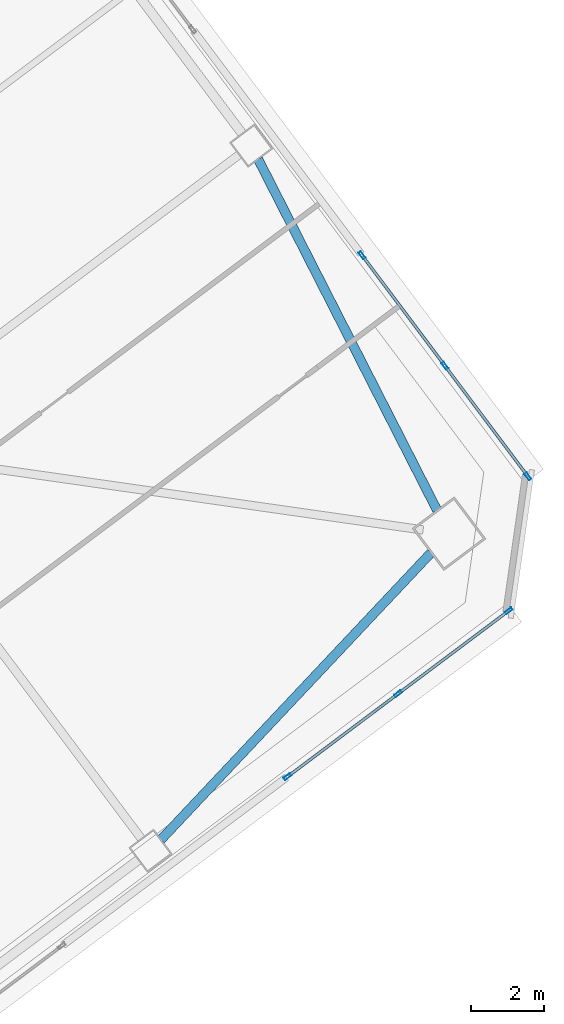
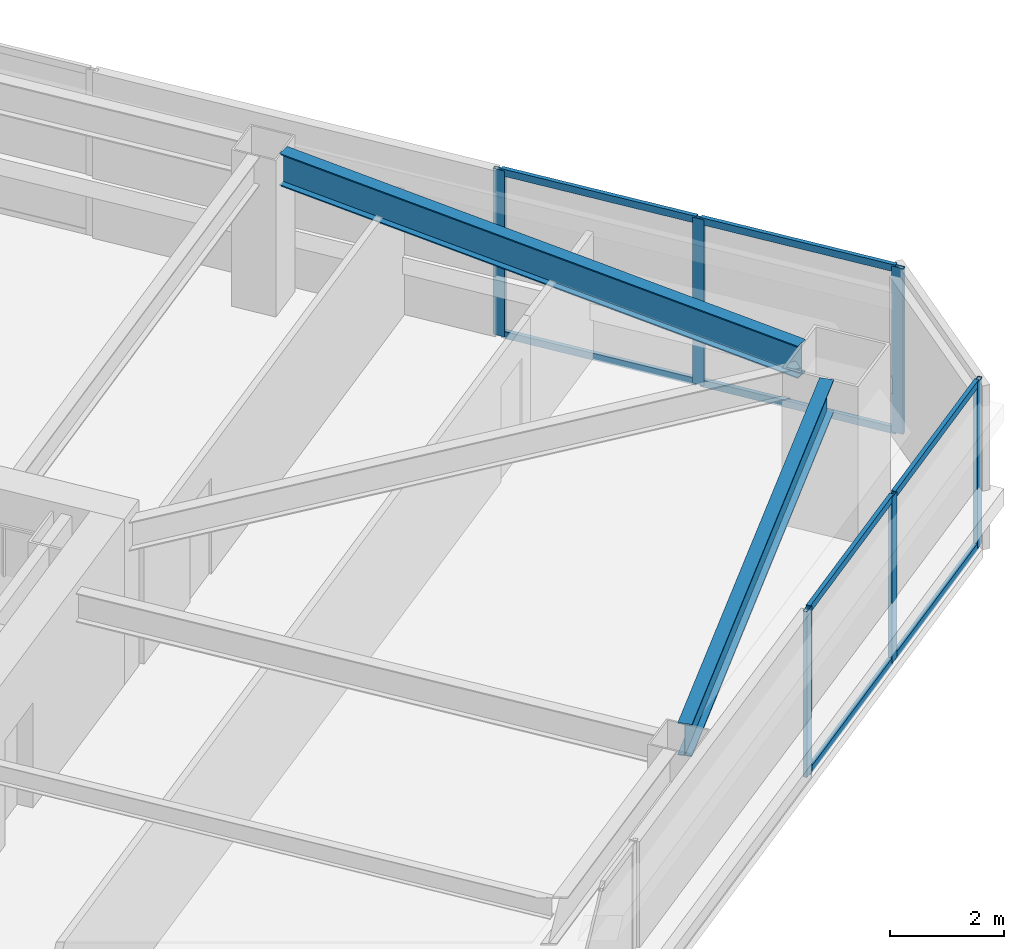
# One storey, part 25 of 44: 14 members, 2 beams, 2 elements without a shape of their own.
"""IFC4 building model written with IfcOpenShell, lengths in metres."""

from ifc_helpers import new_model, si_unit, direction, frame, origin, origin_2d, place, context, subcontext, project, spatial, hollow_rectangle, i_section, extrude, material, material_profile, profile_set, type_object, element, aggregate, save


model = new_model("IFC4")

# Units and contexts
model_context = context("Model", 3, precision=1e-05, world=origin(), true_north=direction((0.0, 1.0)))
body_context = subcontext(model_context, "Body", "Model", "MODEL_VIEW")
ifc_project = project(units=[si_unit("LENGTHUNIT", "METRE"), si_unit("AREAUNIT", "SQUARE_METRE"), si_unit("VOLUMEUNIT", "CUBIC_METRE"), si_unit("PLANEANGLEUNIT", "RADIAN"), si_unit("MASSUNIT", "GRAM", prefix="KILO")], contexts=[model_context])

# Site, building, storey
site_placement = place(None, origin())
site = spatial("IfcSite", under=ifc_project, at=site_placement, CompositionType="ELEMENT")
building_placement = place(site_placement, origin())
building = spatial("IfcBuilding", under=site, at=building_placement, Name="Tashvorn Skyway Center", CompositionType="ELEMENT")
storey_placement = place(building_placement, frame((0.0, 0.0, 92.050048828125)))
storey = spatial("IfcBuildingStorey", under=building, at=storey_placement, Name="L24", CompositionType="ELEMENT", Elevation=92.050048828125)

# Beams
ifc_material_1 = material(Name="Steel ASTM A992 Grade 50", Category="steel")
ifc_material_profile_1 = material_profile(ifc_material_1, i_section(OverallWidth=0.256103515625, OverallDepth=0.693115234375, WebThickness=0.014404296875, FlangeThickness=0.023681640625, at=origin_2d()), Name="W27X114")
ifc_profile_set_1 = profile_set([ifc_material_profile_1], Name="Steel ASTM A992 Grade 50")
beam_type = type_object("IfcBeamType", Name="BM-SPANDREL-W27X114", PredefinedType="SPANDREL", material=ifc_profile_set_1)
beam_1_placement = place(storey_placement, frame((130.157958984375, 20.145751953125, 3.00341796875), z_axis=(0.685484857238, 0.728086883893, 0.0), x_axis=(-0.728086883893, 0.685484857238, 0.0)))
element("IfcBeam", 1, at=beam_1_placement, inside=storey, type_object=beam_type, Name="Tower 2 L24 Spandrel Beam 03", PredefinedType="SPANDREL", context=body_context, shape_type="SweptSolid", body=[
    extrude(i_section(OverallWidth=0.256103515625, OverallDepth=0.693115234375, WebThickness=0.014404296875, FlangeThickness=0.023681640625, at=origin_2d()), origin(), (0.0, 0.0, 1.0), 10.8369140625),
])
beam_2_placement = place(storey_placement, frame((137.7529296875, 29.201416015625, 3.00341796875), z_axis=(-0.454210938961, 0.890894170442, 0.0), x_axis=(-0.890894170442, -0.454210938961, 0.0)))
element("IfcBeam", 2, at=beam_2_placement, inside=storey, type_object=beam_type, Name="Tower 2 L24 Spandrel Beam 04", PredefinedType="SPANDREL", context=body_context, shape_type="SweptSolid", body=[
    extrude(i_section(OverallWidth=0.256103515625, OverallDepth=0.693115234375, WebThickness=0.014404296875, FlangeThickness=0.023681640625, at=origin_2d()), origin(), (0.0, 0.0, 1.0), 10.836669921875),
])

# Curtain wall, members
ifc_material_2 = material(Name="Thermally broken bronze-anodized aluminium 6063-T6", Category="aluminium")
curtain_wall_type = type_object("IfcCurtainWallType", Name="CW-CW-Z2", PredefinedType="NOTDEFINED", material=ifc_material_2)
curtain_wall_1_placement = place(storey_placement, origin())
curtain_wall_1 = element("IfcCurtainWall", 3, at=curtain_wall_1_placement, inside=storey, type_object=curtain_wall_type, Name="Tower 2 L24 South Unitised Curtain Wall Glazing Group 1", PredefinedType="NOTDEFINED")
ifc_material_profile_2 = material_profile(ifc_material_2, hollow_rectangle(XDim=0.080078125, YDim=0.219970703125, WallThickness=0.0048828125, at=origin_2d()), Name="ALU-MULL-80x220")
ifc_profile_set_2 = profile_set([ifc_material_profile_2], Name="Thermally broken bronze-anodized aluminium 6063-T6")
member_type_1 = type_object("IfcMemberType", Name="CWM-CW-Z2", PredefinedType="MULLION", material=ifc_profile_set_2)
member_1_placement = place(storey_placement, frame((139.719970703125, 26.43994140625, 0.0), z_axis=(0.0, 0.0, 1.0), x_axis=(0.600000000002, -0.799999999998, 0.0)))
member_1 = element("IfcMember", 4, at=member_1_placement, type_object=member_type_1, Name="CW-Z2 mullion 1", PredefinedType="MULLION", context=body_context, shape_type="SweptSolid", body=[
    extrude(hollow_rectangle(XDim=0.080078125, YDim=0.219970703125, WallThickness=0.0048828125, at=origin_2d()), origin(), (0.0, 0.0, 1.0), 3.550048828125),
])
member_2_placement = place(storey_placement, frame((136.679931640625, 24.159912109375, 0.0), z_axis=(0.0, 0.0, 1.0), x_axis=(0.600000000002, -0.799999999998, 0.0)))
member_2 = element("IfcMember", 5, at=member_2_placement, type_object=member_type_1, Name="CW-Z2 mullion 2", PredefinedType="MULLION", context=body_context, shape_type="SweptSolid", body=[
    extrude(hollow_rectangle(XDim=0.080078125, YDim=0.219970703125, WallThickness=0.0048828125, at=origin_2d()), origin(), (0.0, 0.0, 1.0), 3.550048828125),
])
member_3_placement = place(storey_placement, frame((133.639892578125, 21.8798828125, 0.0), z_axis=(0.0, 0.0, 1.0), x_axis=(0.600000000002, -0.799999999998, 0.0)))
member_3 = element("IfcMember", 6, at=member_3_placement, type_object=member_type_1, Name="CW-Z2 mullion 3", PredefinedType="MULLION", context=body_context, shape_type="SweptSolid", body=[
    extrude(hollow_rectangle(XDim=0.080078125, YDim=0.219970703125, WallThickness=0.0048828125, at=origin_2d()), origin(), (0.0, 0.0, 1.0), 3.550048828125),
])

curtain_wall_2_placement = place(storey_placement, origin())
curtain_wall_2 = element("IfcCurtainWall", 7, at=curtain_wall_2_placement, inside=storey, type_object=curtain_wall_type, Name="Tower 2 L24 East Unitised Curtain Wall Glazing Group 3", PredefinedType="NOTDEFINED")
member_4_placement = place(storey_placement, frame((135.68798828125, 36.216064453125, 0.0), z_axis=(0.0, 0.0, 1.0), x_axis=(0.799999999998, 0.600000000002, 0.0)))
member_4 = element("IfcMember", 8, at=member_4_placement, type_object=member_type_1, Name="CW-Z2 mullion 1", PredefinedType="MULLION", context=body_context, shape_type="SweptSolid", body=[
    extrude(hollow_rectangle(XDim=0.080078125, YDim=0.219970703125, WallThickness=0.0048828125, at=origin_2d()), origin(), (0.0, 0.0, 1.0), 3.550048828125),
])
member_5_placement = place(storey_placement, frame((137.968017578125, 33.176025390625, 0.0), z_axis=(0.0, 0.0, 1.0), x_axis=(0.799999999998, 0.600000000002, 0.0)))
member_5 = element("IfcMember", 9, at=member_5_placement, type_object=member_type_1, Name="CW-Z2 mullion 2", PredefinedType="MULLION", context=body_context, shape_type="SweptSolid", body=[
    extrude(hollow_rectangle(XDim=0.080078125, YDim=0.219970703125, WallThickness=0.0048828125, at=origin_2d()), origin(), (0.0, 0.0, 1.0), 3.550048828125),
])
member_6_placement = place(storey_placement, frame((140.248046875, 30.135986328125, 0.0), z_axis=(0.0, 0.0, 1.0), x_axis=(0.799999999998, 0.600000000002, 0.0)))
member_6 = element("IfcMember", 10, at=member_6_placement, type_object=member_type_1, Name="CW-Z2 mullion 3", PredefinedType="MULLION", context=body_context, shape_type="SweptSolid", body=[
    extrude(hollow_rectangle(XDim=0.080078125, YDim=0.219970703125, WallThickness=0.0048828125, at=origin_2d()), origin(), (0.0, 0.0, 1.0), 3.550048828125),
])

# Member
ifc_material_profile_3 = material_profile(ifc_material_2, hollow_rectangle(XDim=0.080078125, YDim=0.14990234375, WallThickness=0.00439453125, at=origin_2d()), Name="ALU-TRAN-80x150")
ifc_profile_set_3 = profile_set([ifc_material_profile_3], Name="Thermally broken bronze-anodized aluminium 6063-T6")
member_type_2 = type_object("IfcMemberType", Name="CWT-CW-Z2", PredefinedType="USERDEFINED", material=ifc_profile_set_3)
member_7_placement = place(storey_placement, frame((139.68798828125, 26.416015625, 0.0400390625), z_axis=(-0.80001575065, -0.599978998559, 0.0), x_axis=(0.599978998559, -0.80001575065, 0.0)))
member_7 = element("IfcMember", 11, at=member_7_placement, type_object=member_type_2, Name="CW-Z2 transom 1.1", ObjectType="TRANSOM", PredefinedType="USERDEFINED", context=body_context, shape_type="SweptSolid", body=[
    extrude(hollow_rectangle(XDim=0.080078125, YDim=0.14990234375, WallThickness=0.00439453125, at=origin_2d()), origin(), (0.0, 0.0, 1.0), 3.719970703125),
])

member_8_placement = place(storey_placement, frame((139.68798828125, 26.416015625, 3.510009765625), z_axis=(-0.80001575065, -0.599978998559, 0.0), x_axis=(0.599978998559, -0.80001575065, 0.0)))
member_8 = element("IfcMember", 12, at=member_8_placement, type_object=member_type_2, Name="CW-Z2 transom 1.2", ObjectType="TRANSOM", PredefinedType="USERDEFINED", context=body_context, shape_type="SweptSolid", body=[
    extrude(hollow_rectangle(XDim=0.080078125, YDim=0.14990234375, WallThickness=0.00439453125, at=origin_2d()), origin(), (0.0, 0.0, 1.0), 3.719970703125),
])

member_9_placement = place(storey_placement, frame((136.64794921875, 24.135986328125, 0.0400390625), z_axis=(-0.799992124055, -0.600010501117, 0.0), x_axis=(0.600010501117, -0.799992124055, 0.0)))
member_9 = element("IfcMember", 13, at=member_9_placement, type_object=member_type_2, Name="CW-Z2 transom 2.1", ObjectType="TRANSOM", PredefinedType="USERDEFINED", context=body_context, shape_type="SweptSolid", body=[
    extrude(hollow_rectangle(XDim=0.080078125, YDim=0.14990234375, WallThickness=0.00439453125, at=origin_2d()), origin(), (0.0, 0.0, 1.0), 3.7197265625),
])

member_10_placement = place(storey_placement, frame((136.64794921875, 24.135986328125, 3.510009765625), z_axis=(-0.799992124055, -0.600010501117, 0.0), x_axis=(0.600010501117, -0.799992124055, 0.0)))
member_10 = element("IfcMember", 14, at=member_10_placement, type_object=member_type_2, Name="CW-Z2 transom 2.2", ObjectType="TRANSOM", PredefinedType="USERDEFINED", context=body_context, shape_type="SweptSolid", body=[
    extrude(hollow_rectangle(XDim=0.080078125, YDim=0.14990234375, WallThickness=0.00439453125, at=origin_2d()), origin(), (0.0, 0.0, 1.0), 3.7197265625),
])

aggregate(curtain_wall_1, [member_1, member_2, member_3, member_7, member_8, member_9, member_10])

member_11_placement = place(storey_placement, frame((135.7119140625, 36.18408203125, 0.0400390625), z_axis=(0.6000210002, -0.799984249419, 0.0), x_axis=(0.799984249419, 0.6000210002, 0.0)))
member_11 = element("IfcMember", 15, at=member_11_placement, type_object=member_type_2, Name="CW-Z2 transom 1.1", ObjectType="TRANSOM", PredefinedType="USERDEFINED", context=body_context, shape_type="SweptSolid", body=[
    extrude(hollow_rectangle(XDim=0.080078125, YDim=0.14990234375, WallThickness=0.00439453125, at=origin_2d()), origin(), (0.0, 0.0, 1.0), 3.72021484375),
])

member_12_placement = place(storey_placement, frame((135.7119140625, 36.18408203125, 3.510009765625), z_axis=(0.6000210002, -0.799984249419, 0.0), x_axis=(0.799984249419, 0.6000210002, 0.0)))
member_12 = element("IfcMember", 16, at=member_12_placement, type_object=member_type_2, Name="CW-Z2 transom 1.2", ObjectType="TRANSOM", PredefinedType="USERDEFINED", context=body_context, shape_type="SweptSolid", body=[
    extrude(hollow_rectangle(XDim=0.080078125, YDim=0.14990234375, WallThickness=0.00439453125, at=origin_2d()), origin(), (0.0, 0.0, 1.0), 3.72021484375),
])

member_13_placement = place(storey_placement, frame((137.991943359375, 33.14404296875, 0.0400390625), z_axis=(0.6000210002, -0.799984249419, 0.0), x_axis=(0.799984249419, 0.6000210002, 0.0)))
member_13 = element("IfcMember", 17, at=member_13_placement, type_object=member_type_2, Name="CW-Z2 transom 2.1", ObjectType="TRANSOM", PredefinedType="USERDEFINED", context=body_context, shape_type="SweptSolid", body=[
    extrude(hollow_rectangle(XDim=0.080078125, YDim=0.14990234375, WallThickness=0.00439453125, at=origin_2d()), origin(), (0.0, 0.0, 1.0), 3.72021484375),
])

member_14_placement = place(storey_placement, frame((137.991943359375, 33.14404296875, 3.510009765625), z_axis=(0.6000210002, -0.799984249419, 0.0), x_axis=(0.799984249419, 0.6000210002, 0.0)))
member_14 = element("IfcMember", 18, at=member_14_placement, type_object=member_type_2, Name="CW-Z2 transom 2.2", ObjectType="TRANSOM", PredefinedType="USERDEFINED", context=body_context, shape_type="SweptSolid", body=[
    extrude(hollow_rectangle(XDim=0.080078125, YDim=0.14990234375, WallThickness=0.00439453125, at=origin_2d()), origin(), (0.0, 0.0, 1.0), 3.72021484375),
])

aggregate(curtain_wall_2, [member_4, member_5, member_6, member_11, member_12, member_13, member_14])

save(model, "model.ifc")
